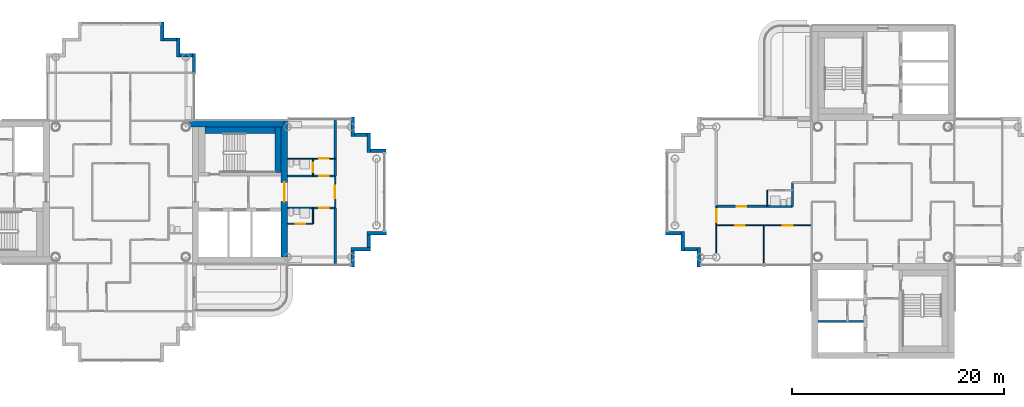
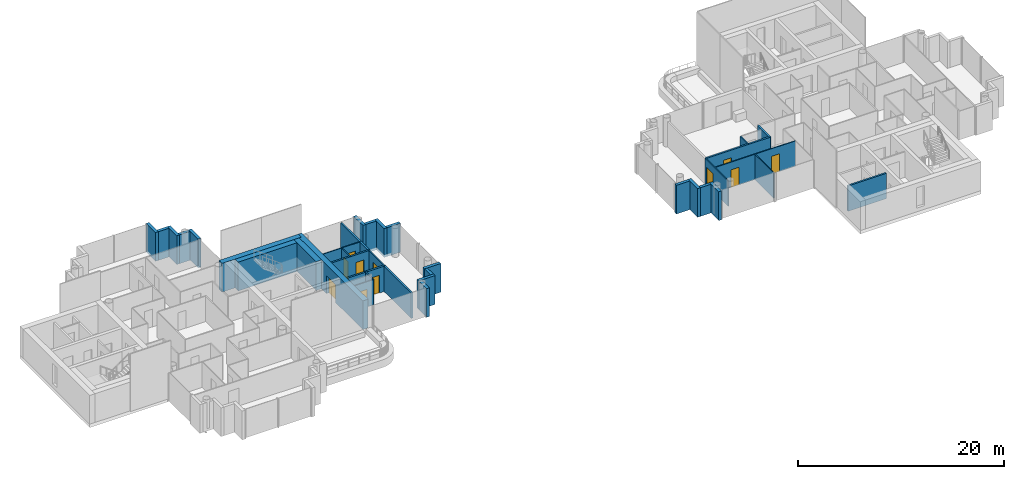
# One storey, part 8 of 18: 37 walls, 11 doors, 11 openings.
"""IFC4 building model written with IfcOpenShell, lengths in metres."""

from ifc_helpers import new_model, si_unit, direction, frame, frame_2d, origin, place, context, subcontext, project, spatial, rectangle, extrude, material, layer, layer_set, type_object, element, fill, save


model = new_model("IFC4")

# Units and contexts
model_context = context("Model", 3, precision=1e-05, world=origin(), true_north=direction((0.0, 1.0)))
body_context = subcontext(model_context, "Body", "Model", "MODEL_VIEW")
ifc_project = project(units=[si_unit("LENGTHUNIT", "METRE"), si_unit("AREAUNIT", "SQUARE_METRE"), si_unit("VOLUMEUNIT", "CUBIC_METRE"), si_unit("PLANEANGLEUNIT", "RADIAN"), si_unit("MASSUNIT", "GRAM", prefix="KILO")], contexts=[model_context])

# Site, building, storey
site_placement = place(None, origin())
site = spatial("IfcSite", under=ifc_project, at=site_placement, CompositionType="ELEMENT")
building_placement = place(site_placement, origin())
building = spatial("IfcBuilding", under=site, at=building_placement, Name="Ipe Terrace Towers", CompositionType="ELEMENT")
storey_placement = place(building_placement, frame((0.0, 0.0, 226.60009765625)))
storey = spatial("IfcBuildingStorey", under=building, at=storey_placement, Name="L63", CompositionType="ELEMENT", Elevation=226.60009765625)

# Walls
ifc_material_1 = material(Name="Concrete C40/50 with buff precast cladding", Category="concrete")
ifc_layer_1 = layer(ifc_material_1, 0.320068359375)
ifc_layer_set_1 = layer_set([ifc_layer_1], Name="BUFF CLADDING WALL 320")
wall_type_1 = type_object("IfcWallType", Name="BUFF CLADDING WALL 320", PredefinedType="STANDARD", material=ifc_layer_set_1)
wall_1_placement = place(storey_placement, frame((-14.090087890625, -7.070068359375, -0.300048828125), z_axis=(0.0, 0.0, 1.0), x_axis=(0.0, 1.0, 0.0)))
element("IfcWall", 1, at=wall_1_placement, inside=storey, type_object=wall_type_1, Name="T1-W-L63-17a wall", PredefinedType="STANDARD", context=body_context, shape_type="SweptSolid", body=[
    extrude(rectangle(XDim=1.5, YDim=0.320068359375, at=frame_2d((0.75, 0.0))), origin(), (0.0, 0.0, 1.0), 3.39990234375),
])
wall_2_placement = place(storey_placement, frame((-14.25, -5.409912109375, -0.300048828125), z_axis=(0.0, 0.0, 1.0), x_axis=(1.0, 0.0, 0.0)))
element("IfcWall", 2, at=wall_2_placement, inside=storey, type_object=wall_type_1, Name="T1-W-L63-18a wall", PredefinedType="STANDARD", context=body_context, shape_type="SweptSolid", body=[
    extrude(rectangle(XDim=1.820068359375, YDim=0.320068359375, at=frame_2d((0.91015625, 0.0))), origin(), (0.0, 0.0, 1.0), 3.39990234375),
])
wall_3_placement = place(storey_placement, frame((-12.590087890625, -5.25, -0.300048828125), z_axis=(0.0, 0.0, 1.0), x_axis=(0.0, 1.0, 0.0)))
element("IfcWall", 3, at=wall_3_placement, inside=storey, type_object=wall_type_1, Name="T1-W-L63-19a wall", PredefinedType="STANDARD", context=body_context, shape_type="SweptSolid", body=[
    extrude(rectangle(XDim=1.179931640625, YDim=0.320068359375, at=frame_2d((0.58984375, 0.0))), origin(), (0.0, 0.0, 1.0), 3.39990234375),
])
wall_4_placement = place(storey_placement, frame((-12.75, -3.909912109375, -0.300048828125), z_axis=(0.0, 0.0, 1.0), x_axis=(1.0, 0.0, 0.0)))
element("IfcWall", 4, at=wall_4_placement, inside=storey, type_object=wall_type_1, Name="T1-W-L63-20a wall", PredefinedType="STANDARD", context=body_context, shape_type="SweptSolid", body=[
    extrude(rectangle(XDim=1.820068359375, YDim=0.320068359375, at=frame_2d((0.91015625, 0.0))), origin(), (0.0, 0.0, 1.0), 3.39990234375),
])
wall_5_placement = place(storey_placement, frame((-10.929931640625, 3.909912109375, -0.300048828125), z_axis=(0.0, 0.0, 1.0), x_axis=(-1.0, 0.0, 0.0)))
element("IfcWall", 5, at=wall_5_placement, inside=storey, type_object=wall_type_1, Name="T1-W-L63-22a wall", PredefinedType="STANDARD", context=body_context, shape_type="SweptSolid", body=[
    extrude(rectangle(XDim=1.5, YDim=0.320068359375, at=frame_2d((0.75, 0.0))), origin(), (0.0, 0.0, 1.0), 3.39990234375),
])
wall_6_placement = place(storey_placement, frame((-12.590087890625, 3.75, -0.300048828125), z_axis=(0.0, 0.0, 1.0), x_axis=(0.0, 1.0, 0.0)))
element("IfcWall", 6, at=wall_6_placement, inside=storey, type_object=wall_type_1, Name="T1-W-L63-23a wall", PredefinedType="STANDARD", context=body_context, shape_type="SweptSolid", body=[
    extrude(rectangle(XDim=1.820068359375, YDim=0.320068359375, at=frame_2d((0.91015625, 0.0))), origin(), (0.0, 0.0, 1.0), 3.39990234375),
])
wall_7_placement = place(storey_placement, frame((-12.75, 5.409912109375, -0.300048828125), z_axis=(0.0, 0.0, 1.0), x_axis=(-1.0, 0.0, 0.0)))
element("IfcWall", 7, at=wall_7_placement, inside=storey, type_object=wall_type_1, Name="T1-W-L63-24a wall", PredefinedType="STANDARD", context=body_context, shape_type="SweptSolid", body=[
    extrude(rectangle(XDim=1.179931640625, YDim=0.320068359375, at=frame_2d((0.58984375, 0.0))), origin(), (0.0, 0.0, 1.0), 3.39990234375),
])
for number, where, z_axis, x_axis, name in (
    (8, (-14.090087890625, 5.25, -0.300048828125), (0.0, 0.0, 1.0), (0.0, 1.0, 0.0), "T1-W-L63-25a wall"),
    (9, (-29.090087890625, 11.25, -0.300048828125), (0.0, 0.0, 1.0), (0.0, 1.0, 0.0), "T1-W-L63-29a wall"),
):
    element("IfcWall", number, at=place(storey_placement, frame(where, z_axis=z_axis, x_axis=x_axis)), inside=storey, type_object=wall_type_1, Name=name, PredefinedType="STANDARD", context=body_context, shape_type="SweptSolid", body=[
        extrude(rectangle(XDim=1.820068359375, YDim=0.320068359375, at=frame_2d((0.91015625, 0.0))), origin(), (0.0, 0.0, 1.0), 3.39990234375),
    ])
wall_8_placement = place(storey_placement, frame((-29.25, 12.909912109375, -0.300048828125), z_axis=(0.0, 0.0, 1.0), x_axis=(-1.0, 0.0, 0.0)))
element("IfcWall", 10, at=wall_8_placement, inside=storey, type_object=wall_type_1, Name="T1-W-L63-30a wall", PredefinedType="STANDARD", context=body_context, shape_type="SweptSolid", body=[
    extrude(rectangle(XDim=1.179931640625, YDim=0.320068359375, at=frame_2d((0.58984375, 0.0))), origin(), (0.0, 0.0, 1.0), 3.39990234375),
])
wall_9_placement = place(storey_placement, frame((-30.590087890625, 12.75, -0.300048828125), z_axis=(0.0, 0.0, 1.0), x_axis=(0.0, 1.0, 0.0)))
element("IfcWall", 11, at=wall_9_placement, inside=storey, type_object=wall_type_1, Name="T1-W-L63-31a wall", PredefinedType="STANDARD", context=body_context, shape_type="SweptSolid", body=[
    extrude(rectangle(XDim=1.820068359375, YDim=0.320068359375, at=frame_2d((0.91015625, 0.0))), origin(), (0.0, 0.0, 1.0), 3.39990234375),
])
wall_10_placement = place(storey_placement, frame((-30.75, 14.409912109375, -0.300048828125), z_axis=(0.0, 0.0, 1.0), x_axis=(-1.0, 0.0, 0.0)))
element("IfcWall", 12, at=wall_10_placement, inside=storey, type_object=wall_type_1, Name="T1-W-L63-32a wall", PredefinedType="STANDARD", context=body_context, shape_type="SweptSolid", body=[
    extrude(rectangle(XDim=1.179931640625, YDim=0.320068359375, at=frame_2d((0.58984375, 0.0))), origin(), (0.0, 0.0, 1.0), 3.39990234375),
])
wall_11_placement = place(storey_placement, frame((-32.090087890625, 14.25, -0.300048828125), z_axis=(0.0, 0.0, 1.0), x_axis=(0.0, 1.0, 0.0)))
element("IfcWall", 13, at=wall_11_placement, inside=storey, type_object=wall_type_1, Name="T1-W-L63-33a wall", PredefinedType="STANDARD", context=body_context, shape_type="SweptSolid", body=[
    extrude(rectangle(XDim=1.820068359375, YDim=0.320068359375, at=frame_2d((0.91015625, 0.0))), origin(), (0.0, 0.0, 1.0), 3.39990234375),
])
wall_12_placement = place(storey_placement, frame((15.429931640625, -3.909912109375, -0.300048828125), z_axis=(0.0, 0.0, 1.0), x_axis=(1.0, 0.0, 0.0)))
element("IfcWall", 14, at=wall_12_placement, inside=storey, type_object=wall_type_1, Name="T2-W-L63-27a wall", PredefinedType="STANDARD", context=body_context, shape_type="SweptSolid", body=[
    extrude(rectangle(XDim=1.5, YDim=0.320068359375, at=frame_2d((0.75, 0.0))), origin(), (0.0, 0.0, 1.0), 3.39990234375),
])
wall_13_placement = place(storey_placement, frame((17.090087890625, -3.75, -0.300048828125), z_axis=(0.0, 0.0, 1.0), x_axis=(0.0, -1.0, 0.0)))
element("IfcWall", 15, at=wall_13_placement, inside=storey, type_object=wall_type_1, Name="T2-W-L63-28a wall", PredefinedType="STANDARD", context=body_context, shape_type="SweptSolid", body=[
    extrude(rectangle(XDim=1.820068359375, YDim=0.320068359375, at=frame_2d((0.91015625, 0.0))), origin(), (0.0, 0.0, 1.0), 3.39990234375),
])
wall_14_placement = place(storey_placement, frame((17.25, -5.409912109375, -0.300048828125), z_axis=(0.0, 0.0, 1.0), x_axis=(1.0, 0.0, 0.0)))
element("IfcWall", 16, at=wall_14_placement, inside=storey, type_object=wall_type_1, Name="T2-W-L63-29a wall", PredefinedType="STANDARD", context=body_context, shape_type="SweptSolid", body=[
    extrude(rectangle(XDim=1.179931640625, YDim=0.320068359375, at=frame_2d((0.58984375, 0.0))), origin(), (0.0, 0.0, 1.0), 3.39990234375),
])
wall_15_placement = place(storey_placement, frame((18.590087890625, -5.25, -0.300048828125), z_axis=(0.0, 0.0, 1.0), x_axis=(0.0, -1.0, 0.0)))
element("IfcWall", 17, at=wall_15_placement, inside=storey, type_object=wall_type_1, Name="T2-W-L63-30a wall", PredefinedType="STANDARD", context=body_context, shape_type="SweptSolid", body=[
    extrude(rectangle(XDim=1.820068359375, YDim=0.320068359375, at=frame_2d((0.91015625, 0.0))), origin(), (0.0, 0.0, 1.0), 3.39990234375),
])
ifc_material_2 = material(Name="Gypsum board partition", Category="plasterboard")
ifc_layer_2 = layer(ifc_material_2, 0.10009765625)
ifc_layer_set_2 = layer_set([ifc_layer_2], Name="Gypsum board partition 100 mm")
wall_type_2 = type_object("IfcWallType", Name="Gypsum board partition 100 mm", PredefinedType="PARTITIONING", material=ifc_layer_set_2)
wall_16_placement = place(storey_placement, frame((-17.85009765625, -3.0, 0.0), z_axis=(0.0, 0.0, 1.0), x_axis=(0.0, 1.0, 0.0)))
element("IfcWall", 18, at=wall_16_placement, inside=storey, type_object=wall_type_2, Name="Gypsum board partition T1 L63 W13", PredefinedType="PARTITIONING", context=body_context, shape_type="SweptSolid", body=[
    extrude(rectangle(XDim=1.5, YDim=0.10009765625, at=frame_2d((0.75, 0.0))), origin(), (0.0, 0.0, 1.0), 3.0),
])

# Wall, opening, door
wall_17_placement = place(storey_placement, frame((-17.85009765625, 1.5, 0.0), z_axis=(0.0, 0.0, 1.0), x_axis=(0.0, 1.0, 0.0)))
wall_17 = element("IfcWall", 19, at=wall_17_placement, inside=storey, type_object=wall_type_2, Name="Gypsum board partition T1 L63 W14", PredefinedType="PARTITIONING", context=body_context, shape_type="SweptSolid", body=[
    extrude(rectangle(XDim=1.64990234375, YDim=0.10009765625, at=frame_2d((0.824951171875, 0.0))), origin(), (0.0, 0.0, 1.0), 3.0),
])
opening_1_placement = place(wall_17_placement, frame((0.35009765625, 0.0, 0.0)))
opening_1 = element("IfcOpeningElement", 20, at=opening_1_placement, cuts=wall_17, Name="Opening T1-Z4A-15", PredefinedType="OPENING", context=body_context, shape_type="SweptSolid", body=[
    extrude(rectangle(XDim=0.89990234375, YDim=2.10009765625, at=frame_2d((0.449951171875, 1.050048828125))), frame((0.0, 0.06005859375, 0.0), z_axis=(0.0, -1.0, 0.0), x_axis=(1.0, 0.0, 0.0)), (0.0, 0.0, 1.0), 0.1201171875),
])
ifc_material_3 = material(Name="Timber door leaf", Category="wood")
door_type_1 = type_object("IfcDoorType", Name="Bathroom door 900 x 2100", OperationType="NOTDEFINED", PredefinedType="DOOR", material=ifc_material_3)
door_1_placement = place(opening_1_placement, origin())
door_1 = element("IfcDoor", 21, at=door_1_placement, inside=storey, type_object=door_type_1, Name="Bathroom door T1-Z4A-15", OperationType="SINGLE_SWING_RIGHT", OverallHeight=2.10009765625, OverallWidth=0.89990234375, PredefinedType="DOOR", context=body_context, shape_type="SweptSolid", body=[
    extrude(rectangle(XDim=0.89990234375, YDim=2.10009765625, at=frame_2d((0.449951171875, 1.050048828125))), frame((0.0, 0.02490234375, 0.0), z_axis=(0.0, -1.0, 0.0), x_axis=(1.0, 0.0, 0.0)), (0.0, 0.0, 1.0), 0.050048828125),
])
fill(opening_1, door_1)

wall_18_placement = place(storey_placement, frame((-15.75, -1.5, 0.0), z_axis=(0.0, 0.0, 1.0), x_axis=(0.0, 1.0, 0.0)))
wall_18 = element("IfcWall", 22, at=wall_18_placement, inside=storey, type_object=wall_type_2, Name="Gypsum board partition T1 L63 W15", PredefinedType="PARTITIONING", context=body_context, shape_type="SweptSolid", body=[
    extrude(rectangle(XDim=3.0, YDim=0.10009765625, at=frame_2d((1.5, 0.0))), origin(), (0.0, 0.0, 1.0), 3.0),
])
opening_2_placement = place(wall_18_placement, frame((0.89990234375, 0.0, 0.0)))
opening_2 = element("IfcOpeningElement", 23, at=opening_2_placement, cuts=wall_18, Name="Opening T1-Z4A-18", PredefinedType="OPENING", context=body_context, shape_type="SweptSolid", body=[
    extrude(rectangle(XDim=1.199951171875, YDim=2.10009765625, at=frame_2d((0.60009765625, 1.050048828125))), frame((0.0, 0.06005859375, 0.0), z_axis=(0.0, -1.0, 0.0), x_axis=(1.0, 0.0, 0.0)), (0.0, 0.0, 1.0), 0.1201171875),
])
ifc_material_4 = material(Name="Timber door leaf", Category="wood")
door_type_2 = type_object("IfcDoorType", Name="Lounge door 1200 x 2100", OperationType="NOTDEFINED", PredefinedType="DOOR", material=ifc_material_4)
door_2_placement = place(opening_2_placement, origin())
door_2 = element("IfcDoor", 24, at=door_2_placement, inside=storey, type_object=door_type_2, Name="Lounge door T1-Z4A-18", OperationType="SINGLE_SWING_RIGHT", OverallHeight=2.10009765625, OverallWidth=1.199951171875, PredefinedType="DOOR", context=body_context, shape_type="SweptSolid", body=[
    extrude(rectangle(XDim=1.199951171875, YDim=2.10009765625, at=frame_2d((0.60009765625, 1.050048828125))), frame((0.0, 0.02490234375, 0.0), z_axis=(0.0, -1.0, 0.0), x_axis=(1.0, 0.0, 0.0)), (0.0, 0.0, 1.0), 0.050048828125),
])
fill(opening_2, door_2)

wall_19_placement = place(storey_placement, frame((-20.25, -3.0, 0.0), z_axis=(0.0, 0.0, 1.0), x_axis=(1.0, 0.0, 0.0)))
wall_19 = element("IfcWall", 25, at=wall_19_placement, inside=storey, type_object=wall_type_2, Name="Gypsum board partition T1 L63 W25", PredefinedType="PARTITIONING", context=body_context, shape_type="SweptSolid", body=[
    extrude(rectangle(XDim=2.39990234375, YDim=0.10009765625, at=frame_2d((1.199951171875, 0.0))), origin(), (0.0, 0.0, 1.0), 3.0),
])
opening_3_placement = place(wall_19_placement, frame((0.75, 0.0, 0.0)))
opening_3 = element("IfcOpeningElement", 26, at=opening_3_placement, cuts=wall_19, Name="Opening T1-Z4A-17", PredefinedType="OPENING", context=body_context, shape_type="SweptSolid", body=[
    extrude(rectangle(XDim=0.89990234375, YDim=2.10009765625, at=frame_2d((0.449951171875, 1.050048828125))), frame((0.0, 0.06005859375, 0.0), z_axis=(0.0, -1.0, 0.0), x_axis=(1.0, 0.0, 0.0)), (0.0, 0.0, 1.0), 0.1201171875),
])
door_3_placement = place(opening_3_placement, origin())
door_3 = element("IfcDoor", 27, at=door_3_placement, inside=storey, type_object=door_type_1, Name="Bathroom door T1-Z4A-17", OperationType="SINGLE_SWING_LEFT", OverallHeight=2.10009765625, OverallWidth=0.89990234375, PredefinedType="DOOR", context=body_context, shape_type="SweptSolid", body=[
    extrude(rectangle(XDim=0.89990234375, YDim=2.10009765625, at=frame_2d((0.449951171875, 1.050048828125))), frame((0.0, 0.02490234375, 0.0), z_axis=(0.0, -1.0, 0.0), x_axis=(1.0, 0.0, 0.0)), (0.0, 0.0, 1.0), 0.050048828125),
])
fill(opening_3, door_3)

wall_20_placement = place(storey_placement, frame((-20.25, 3.14990234375, 0.0), z_axis=(0.0, 0.0, 1.0), x_axis=(1.0, 0.0, 0.0)))
wall_20 = element("IfcWall", 28, at=wall_20_placement, inside=storey, type_object=wall_type_2, Name="Gypsum board partition T1 L63 W34", PredefinedType="PARTITIONING", context=body_context, shape_type="SweptSolid", body=[
    extrude(rectangle(XDim=4.5, YDim=0.10009765625, at=frame_2d((2.25, 0.0))), origin(), (0.0, 0.0, 1.0), 3.0),
])
opening_4_placement = place(wall_20_placement, frame((3.0, 0.0, 0.0)))
opening_4 = element("IfcOpeningElement", 29, at=opening_4_placement, cuts=wall_20, Name="Opening T1-Z4A-14", PredefinedType="OPENING", context=body_context, shape_type="SweptSolid", body=[
    extrude(rectangle(XDim=0.89990234375, YDim=2.10009765625, at=frame_2d((0.449951171875, 1.050048828125))), frame((0.0, 0.06005859375, 0.0), z_axis=(0.0, -1.0, 0.0), x_axis=(1.0, 0.0, 0.0)), (0.0, 0.0, 1.0), 0.1201171875),
])
ifc_material_5 = material(Name="Timber door leaf", Category="wood")
door_type_3 = type_object("IfcDoorType", Name="Bedroom door 900 x 2100", OperationType="NOTDEFINED", PredefinedType="DOOR", material=ifc_material_5)
door_4_placement = place(opening_4_placement, origin())
door_4 = element("IfcDoor", 30, at=door_4_placement, inside=storey, type_object=door_type_3, Name="Bedroom door T1-Z4A-14", OperationType="SINGLE_SWING_LEFT", OverallHeight=2.10009765625, OverallWidth=0.89990234375, PredefinedType="DOOR", context=body_context, shape_type="SweptSolid", body=[
    extrude(rectangle(XDim=0.89990234375, YDim=2.10009765625, at=frame_2d((0.449951171875, 1.050048828125))), frame((0.0, 0.02490234375, 0.0), z_axis=(0.0, -1.0, 0.0), x_axis=(1.0, 0.0, 0.0)), (0.0, 0.0, 1.0), 0.050048828125),
])
fill(opening_4, door_4)

# Wall, openings, doors
wall_21_placement = place(storey_placement, frame((29.25, -3.14990234375, 0.0), z_axis=(0.0, 0.0, 1.0), x_axis=(-1.0, 0.0, 0.0)))
wall_21 = element("IfcWall", 31, at=wall_21_placement, inside=storey, type_object=wall_type_2, Name="Gypsum board partition T2 L63 W04", PredefinedType="PARTITIONING", context=body_context, shape_type="SweptSolid", body=[
    extrude(rectangle(XDim=9.0, YDim=0.10009765625, at=frame_2d((4.5, 0.0))), origin(), (0.0, 0.0, 1.0), 3.0),
])
opening_5_placement = place(wall_21_placement, frame((1.800048828125, 0.0, 0.0)))
opening_5 = element("IfcOpeningElement", 32, at=opening_5_placement, cuts=wall_21, Name="Opening T2-Z4A-10", PredefinedType="OPENING", context=body_context, shape_type="SweptSolid", body=[
    extrude(rectangle(XDim=0.89990234375, YDim=2.10009765625, at=frame_2d((0.449951171875, 1.050048828125))), frame((0.0, 0.06005859375, 0.0), z_axis=(0.0, -1.0, 0.0), x_axis=(1.0, 0.0, 0.0)), (0.0, 0.0, 1.0), 0.1201171875),
])
opening_6_placement = place(wall_21_placement, frame((6.300048828125, 0.0, 0.0)))
opening_6 = element("IfcOpeningElement", 33, at=opening_6_placement, cuts=wall_21, Name="Opening T2-Z4A-11", PredefinedType="OPENING", context=body_context, shape_type="SweptSolid", body=[
    extrude(rectangle(XDim=0.89990234375, YDim=2.10009765625, at=frame_2d((0.449951171875, 1.050048828125))), frame((0.0, 0.06005859375, 0.0), z_axis=(0.0, -1.0, 0.0), x_axis=(1.0, 0.0, 0.0)), (0.0, 0.0, 1.0), 0.1201171875),
])
ifc_material_6 = material(Name="Timber door leaf", Category="wood")
door_type_4 = type_object("IfcDoorType", Name="Lounge door 900 x 2100", OperationType="NOTDEFINED", PredefinedType="DOOR", material=ifc_material_6)
door_5_placement = place(opening_5_placement, origin())
door_5 = element("IfcDoor", 34, at=door_5_placement, inside=storey, type_object=door_type_4, Name="Lounge door T2-Z4A-10", OperationType="SINGLE_SWING_RIGHT", OverallHeight=2.10009765625, OverallWidth=0.89990234375, PredefinedType="DOOR", context=body_context, shape_type="SweptSolid", body=[
    extrude(rectangle(XDim=0.89990234375, YDim=2.10009765625, at=frame_2d((0.449951171875, 1.050048828125))), frame((0.0, 0.02490234375, 0.0), z_axis=(0.0, -1.0, 0.0), x_axis=(1.0, 0.0, 0.0)), (0.0, 0.0, 1.0), 0.050048828125),
])
fill(opening_5, door_5)
door_6_placement = place(opening_6_placement, origin())
door_6 = element("IfcDoor", 35, at=door_6_placement, inside=storey, type_object=door_type_4, Name="Lounge door T2-Z4A-11", OperationType="SINGLE_SWING_LEFT", OverallHeight=2.10009765625, OverallWidth=0.89990234375, PredefinedType="DOOR", context=body_context, shape_type="SweptSolid", body=[
    extrude(rectangle(XDim=0.89990234375, YDim=2.10009765625, at=frame_2d((0.449951171875, 1.050048828125))), frame((0.0, 0.02490234375, 0.0), z_axis=(0.0, -1.0, 0.0), x_axis=(1.0, 0.0, 0.0)), (0.0, 0.0, 1.0), 0.050048828125),
])
fill(opening_6, door_6)

# Walls
wall_22_placement = place(storey_placement, frame((25.050048828125, -1.35009765625, 0.0), z_axis=(0.0, 0.0, 1.0), x_axis=(0.0, 1.0, 0.0)))
element("IfcWall", 36, at=wall_22_placement, inside=storey, type_object=wall_type_2, Name="Gypsum board partition T2 L63 W35", PredefinedType="PARTITIONING", context=body_context, shape_type="SweptSolid", body=[
    extrude(rectangle(XDim=1.5, YDim=0.10009765625, at=frame_2d((0.75, 0.0))), origin(), (0.0, 0.0, 1.0), 3.0),
])
wall_23_placement = place(storey_placement, frame((24.75, -6.85009765625, 0.0), z_axis=(0.0, 0.0, 1.0), x_axis=(0.0, 1.0, 0.0)))
element("IfcWall", 37, at=wall_23_placement, inside=storey, type_object=wall_type_2, Name="Gypsum board partition T2 L63 W36", PredefinedType="PARTITIONING", context=body_context, shape_type="SweptSolid", body=[
    extrude(rectangle(XDim=3.7001953125, YDim=0.10009765625, at=frame_2d((1.85009765625, 0.0))), origin(), (0.0, 0.0, 1.0), 3.0),
])

# Wall, opening, door
wall_24_placement = place(storey_placement, frame((20.25, -5.800048828125, 0.0), z_axis=(0.0, 0.0, 1.0), x_axis=(0.0, 1.0, 0.0)))
wall_24 = element("IfcWall", 38, at=wall_24_placement, inside=storey, type_object=wall_type_2, Name="Gypsum board partition T2 L63 W37", PredefinedType="PARTITIONING", context=body_context, shape_type="SweptSolid", body=[
    extrude(rectangle(XDim=4.449951171875, YDim=0.10009765625, at=frame_2d((2.22509765625, 0.0))), origin(), (0.0, 0.0, 1.0), 3.0),
])
opening_7_placement = place(wall_24_placement, frame((2.949951171875, 0.0, 0.0)))
opening_7 = element("IfcOpeningElement", 39, at=opening_7_placement, cuts=wall_24, Name="Opening T2-Z4A-14", PredefinedType="OPENING", context=body_context, shape_type="SweptSolid", body=[
    extrude(rectangle(XDim=1.199951171875, YDim=2.10009765625, at=frame_2d((0.60009765625, 1.050048828125))), frame((0.0, 0.06005859375, 0.0), z_axis=(0.0, -1.0, 0.0), x_axis=(1.0, 0.0, 0.0)), (0.0, 0.0, 1.0), 0.1201171875),
])
door_7_placement = place(opening_7_placement, origin())
door_7 = element("IfcDoor", 40, at=door_7_placement, inside=storey, type_object=door_type_2, Name="Lounge door T2-Z4A-14", OperationType="SINGLE_SWING_LEFT", OverallHeight=2.10009765625, OverallWidth=1.199951171875, PredefinedType="DOOR", context=body_context, shape_type="SweptSolid", body=[
    extrude(rectangle(XDim=1.199951171875, YDim=2.10009765625, at=frame_2d((0.60009765625, 1.050048828125))), frame((0.0, 0.02490234375, 0.0), z_axis=(0.0, -1.0, 0.0), x_axis=(1.0, 0.0, 0.0)), (0.0, 0.0, 1.0), 0.050048828125),
])
fill(opening_7, door_7)

# Walls
ifc_material_7 = material(Name="Gypsum board party wall", Category="plasterboard")
ifc_layer_3 = layer(ifc_material_7, 0.199951171875)
ifc_layer_set_3 = layer_set([ifc_layer_3], Name="Gypsum board party wall 200 mm")
wall_type_3 = type_object("IfcWallType", Name="Gypsum board party wall 200 mm", PredefinedType="SOLIDWALL", material=ifc_layer_set_3)
for number, where, z_axis, x_axis, name in (
    (41, (-15.75, -6.85009765625, 0.0), (0.0, 0.0, 1.0), (0.0, 1.0, 0.0), "Gypsum board party wall T1 L63 W16"),
    (42, (-15.75, 1.5, 0.0), (0.0, 0.0, 1.0), (0.0, 1.0, 0.0), "Gypsum board party wall T1 L63 W17"),
):
    element("IfcWall", number, at=place(storey_placement, frame(where, z_axis=z_axis, x_axis=x_axis)), inside=storey, type_object=wall_type_3, Name=name, PredefinedType="SOLIDWALL", context=body_context, shape_type="SweptSolid", body=[
        extrude(rectangle(XDim=5.35009765625, YDim=0.199951171875, at=frame_2d((2.675048828125, 0.0))), origin(), (0.0, 0.0, 1.0), 3.0),
    ])

# Wall, opening, door
wall_25_placement = place(storey_placement, frame((-20.25, -1.5, 0.0), z_axis=(0.0, 0.0, 1.0), x_axis=(1.0, 0.0, 0.0)))
wall_25 = element("IfcWall", 43, at=wall_25_placement, inside=storey, type_object=wall_type_3, Name="Gypsum board party wall T1 L63 W29", PredefinedType="SOLIDWALL", context=body_context, shape_type="SweptSolid", body=[
    extrude(rectangle(XDim=4.5, YDim=0.199951171875, at=frame_2d((2.25, 0.0))), origin(), (0.0, 0.0, 1.0), 3.0),
])
opening_8_placement = place(wall_25_placement, frame((3.0, 0.0, 0.0)))
opening_8 = element("IfcOpeningElement", 44, at=opening_8_placement, cuts=wall_25, Name="Opening T1-Z4A-16", PredefinedType="OPENING", context=body_context, shape_type="SweptSolid", body=[
    extrude(rectangle(XDim=0.89990234375, YDim=2.10009765625, at=frame_2d((0.449951171875, 1.050048828125))), frame((0.0, 0.10986328125, 0.0), z_axis=(0.0, -1.0, 0.0), x_axis=(1.0, 0.0, 0.0)), (0.0, 0.0, 1.0), 0.219970703125),
])
ifc_material_8 = material(Name="Fire-rated timber door leaf", Category="wood")
door_type_5 = type_object("IfcDoorType", Name="Flat entrance door 900 x 2100 FD30S", OperationType="NOTDEFINED", PredefinedType="DOOR", material=ifc_material_8)
door_8_placement = place(opening_8_placement, origin())
door_8 = element("IfcDoor", 45, at=door_8_placement, inside=storey, type_object=door_type_5, Name="Flat entrance door T1-Z4A-16", OperationType="SINGLE_SWING_RIGHT", OverallHeight=2.10009765625, OverallWidth=0.89990234375, PredefinedType="DOOR", context=body_context, shape_type="SweptSolid", body=[
    extrude(rectangle(XDim=0.89990234375, YDim=2.10009765625, at=frame_2d((0.449951171875, 1.050048828125))), frame((0.0, 0.02490234375, 0.0), z_axis=(0.0, -1.0, 0.0), x_axis=(1.0, 0.0, 0.0)), (0.0, 0.0, 1.0), 0.050048828125),
])
fill(opening_8, door_8)

wall_26_placement = place(storey_placement, frame((-20.25, 1.5, 0.0), z_axis=(0.0, 0.0, 1.0), x_axis=(1.0, 0.0, 0.0)))
wall_26 = element("IfcWall", 46, at=wall_26_placement, inside=storey, type_object=wall_type_3, Name="Gypsum board party wall T1 L63 W32", PredefinedType="SOLIDWALL", context=body_context, shape_type="SweptSolid", body=[
    extrude(rectangle(XDim=4.5, YDim=0.199951171875, at=frame_2d((2.25, 0.0))), origin(), (0.0, 0.0, 1.0), 3.0),
])
opening_9_placement = place(wall_26_placement, frame((3.0, 0.0, 0.0)))
opening_9 = element("IfcOpeningElement", 47, at=opening_9_placement, cuts=wall_26, Name="Opening T1-Z4A-13", PredefinedType="OPENING", context=body_context, shape_type="SweptSolid", body=[
    extrude(rectangle(XDim=0.89990234375, YDim=2.10009765625, at=frame_2d((0.449951171875, 1.050048828125))), frame((0.0, 0.10986328125, 0.0), z_axis=(0.0, -1.0, 0.0), x_axis=(1.0, 0.0, 0.0)), (0.0, 0.0, 1.0), 0.219970703125),
])
door_9_placement = place(opening_9_placement, origin())
door_9 = element("IfcDoor", 48, at=door_9_placement, inside=storey, type_object=door_type_5, Name="Flat entrance door T1-Z4A-13", OperationType="SINGLE_SWING_LEFT", OverallHeight=2.10009765625, OverallWidth=0.89990234375, PredefinedType="DOOR", context=body_context, shape_type="SweptSolid", body=[
    extrude(rectangle(XDim=0.89990234375, YDim=2.10009765625, at=frame_2d((0.449951171875, 1.050048828125))), frame((0.0, 0.02490234375, 0.0), z_axis=(0.0, -1.0, 0.0), x_axis=(1.0, 0.0, 0.0)), (0.0, 0.0, 1.0), 0.050048828125),
])
fill(opening_9, door_9)

# Wall
wall_27_placement = place(storey_placement, frame((29.85009765625, -12.25, 0.0), z_axis=(0.0, 0.0, 1.0), x_axis=(1.0, 0.0, 0.0)))
element("IfcWall", 49, at=wall_27_placement, inside=storey, type_object=wall_type_3, Name="Gypsum board party wall T2 L63 t2c2-shaft-div2", PredefinedType="SOLIDWALL", context=body_context, shape_type="SweptSolid", body=[
    extrude(rectangle(XDim=4.2998046875, YDim=0.199951171875, at=frame_2d((2.14990234375, 0.0))), origin(), (0.0, 0.0, 1.0), 3.0),
])

# Wall, opening, door
wall_28_placement = place(storey_placement, frame((27.449951171875, -1.35009765625, 0.0), z_axis=(0.0, 0.0, 1.0), x_axis=(-1.0, 0.0, 0.0)))
wall_28 = element("IfcWall", 50, at=wall_28_placement, inside=storey, type_object=wall_type_3, Name="Gypsum board party wall T2 L63 W07", PredefinedType="SOLIDWALL", context=body_context, shape_type="SweptSolid", body=[
    extrude(rectangle(XDim=7.199951171875, YDim=0.199951171875, at=frame_2d((3.60009765625, 0.0))), origin(), (0.0, 0.0, 1.0), 3.0),
])
opening_10_placement = place(wall_28_placement, frame((4.35009765625, 0.0, 0.0)))
opening_10 = element("IfcOpeningElement", 51, at=opening_10_placement, cuts=wall_28, Name="Opening T2-Z4A-12", PredefinedType="OPENING", context=body_context, shape_type="SweptSolid", body=[
    extrude(rectangle(XDim=0.89990234375, YDim=2.10009765625, at=frame_2d((0.449951171875, 1.050048828125))), frame((0.0, 0.10986328125, 0.0), z_axis=(0.0, -1.0, 0.0), x_axis=(1.0, 0.0, 0.0)), (0.0, 0.0, 1.0), 0.219970703125),
])
door_10_placement = place(opening_10_placement, origin())
door_10 = element("IfcDoor", 52, at=door_10_placement, inside=storey, type_object=door_type_5, Name="Flat entrance door T2-Z4A-12", OperationType="SINGLE_SWING_RIGHT", OverallHeight=2.10009765625, OverallWidth=0.89990234375, PredefinedType="DOOR", context=body_context, shape_type="SweptSolid", body=[
    extrude(rectangle(XDim=0.89990234375, YDim=2.10009765625, at=frame_2d((0.449951171875, 1.050048828125))), frame((0.0, 0.02490234375, 0.0), z_axis=(0.0, -1.0, 0.0), x_axis=(1.0, 0.0, 0.0)), (0.0, 0.0, 1.0), 0.050048828125),
])
fill(opening_10, door_10)

# Walls
wall_29_placement = place(storey_placement, frame((27.449951171875, -1.35009765625, 0.0), z_axis=(0.0, 0.0, 1.0), x_axis=(0.0, 1.0, 0.0)))
element("IfcWall", 53, at=wall_29_placement, inside=storey, type_object=wall_type_3, Name="Gypsum board party wall T2 L63 W34", PredefinedType="SOLIDWALL", context=body_context, shape_type="SweptSolid", body=[
    extrude(rectangle(XDim=2.25, YDim=0.199951171875, at=frame_2d((1.125, 0.0))), origin(), (0.0, 0.0, 1.0), 3.0),
])
ifc_material_9 = material(Name="Concrete C40/50", Category="concrete")
ifc_layer_4 = layer(ifc_material_9, 0.60009765625)
ifc_layer_set_4 = layer_set([ifc_layer_4], Name="RW600 CORE INFILL WALL 600 C40-50")
wall_type_4 = type_object("IfcWallType", Name="RW600 CORE INFILL WALL 600 C40-50", PredefinedType="SHEAR", material=ifc_layer_set_4)
wall_30_placement = place(storey_placement, frame((-21.14990234375, 1.85009765625, 0.0), z_axis=(0.0, 0.0, 1.0), x_axis=(0.0, 1.0, 0.0)))
element("IfcWall", 54, at=wall_30_placement, inside=storey, type_object=wall_type_4, Name="Core infill wall T1-C1-far", PredefinedType="SHEAR", context=body_context, shape_type="SweptSolid", body=[
    extrude(rectangle(XDim=4.2998046875, YDim=0.60009765625, at=frame_2d((2.14990234375, 0.0))), origin(), (0.0, 0.0, 1.0), 3.39990234375),
])
wall_31_placement = place(storey_placement, frame((-28.050048828125, 5.85009765625, 0.0), z_axis=(0.0, 0.0, 1.0), x_axis=(1.0, 0.0, 0.0)))
element("IfcWall", 55, at=wall_31_placement, inside=storey, type_object=wall_type_4, Name="Core infill wall T1-C1-back", PredefinedType="SHEAR", context=body_context, shape_type="SweptSolid", body=[
    extrude(rectangle(XDim=6.60009765625, YDim=0.60009765625, at=frame_2d((3.300048828125, 0.0))), origin(), (0.0, 0.0, 1.0), 3.39990234375),
])

# Wall, opening, door
ifc_material_10 = material(Name="Concrete C40/50", Category="concrete")
ifc_layer_5 = layer(ifc_material_10, 0.60009765625)
ifc_layer_set_5 = layer_set([ifc_layer_5], Name="RW600 CORE WALL 600 C40-50")
wall_type_5 = type_object("IfcWallType", Name="RW600 CORE WALL 600 C40-50", PredefinedType="SHEAR", material=ifc_layer_set_5)
wall_32_placement = place(storey_placement, frame((-20.550048828125, -6.14990234375, 0.0), z_axis=(0.0, 0.0, 1.0), x_axis=(0.0, 1.0, 0.0)))
wall_32 = element("IfcWall", 56, at=wall_32_placement, inside=storey, type_object=wall_type_5, Name="Core wall T1-C1-Z4-W02", PredefinedType="SHEAR", context=body_context, shape_type="SweptSolid", body=[
    extrude(rectangle(XDim=12.89990234375, YDim=0.60009765625, at=frame_2d((6.449951171875, 0.0))), origin(), (0.0, 0.0, 1.0), 3.39990234375),
])
opening_11_placement = place(wall_32_placement, frame((5.25, 0.0, 0.0)))
opening_11 = element("IfcOpeningElement", 57, at=opening_11_placement, cuts=wall_32, Name="Opening T1C1-FD", PredefinedType="OPENING", context=body_context, shape_type="SweptSolid", body=[
    extrude(rectangle(XDim=1.800048828125, YDim=2.10009765625, at=frame_2d((0.89990234375, 1.050048828125))), frame((0.0, 0.31005859375, 0.0), z_axis=(0.0, -1.0, 0.0), x_axis=(1.0, 0.0, 0.0)), (0.0, 0.0, 1.0), 0.6201171875),
])
ifc_material_11 = material(Name="Fire-rated timber door leaf", Category="wood")
door_type_6 = type_object("IfcDoorType", Name="Fire door 1800 x 2100 FD30S", OperationType="NOTDEFINED", PredefinedType="DOOR", material=ifc_material_11)
door_11_placement = place(opening_11_placement, origin())
door_11 = element("IfcDoor", 58, at=door_11_placement, inside=storey, type_object=door_type_6, Name="Fire door T1C1-FD", OperationType="SINGLE_SWING_LEFT", OverallHeight=2.10009765625, OverallWidth=1.800048828125, PredefinedType="DOOR", context=body_context, shape_type="SweptSolid", body=[
    extrude(rectangle(XDim=1.800048828125, YDim=2.10009765625, at=frame_2d((0.89990234375, 1.050048828125))), frame((0.0, 0.02490234375, 0.0), z_axis=(0.0, -1.0, 0.0), x_axis=(1.0, 0.0, 0.0)), (0.0, 0.0, 1.0), 0.050048828125),
])
fill(opening_11, door_11)

# Wall
wall_33_placement = place(storey_placement, frame((-20.60205078125, 6.449951171875, 0.0), z_axis=(0.0, 0.0, 1.0), x_axis=(-1.0, 0.0, 0.0)))
element("IfcWall", 59, at=wall_33_placement, inside=storey, type_object=wall_type_5, Name="Core wall T1-C1-Z4-W03", PredefinedType="SHEAR", context=body_context, shape_type="SweptSolid", body=[
    extrude(rectangle(XDim=8.89599609375, YDim=0.60009765625, at=frame_2d((4.447998046875, 0.0))), origin(), (0.0, 0.0, 1.0), 3.39990234375),
])

save(model, "model.ifc")
